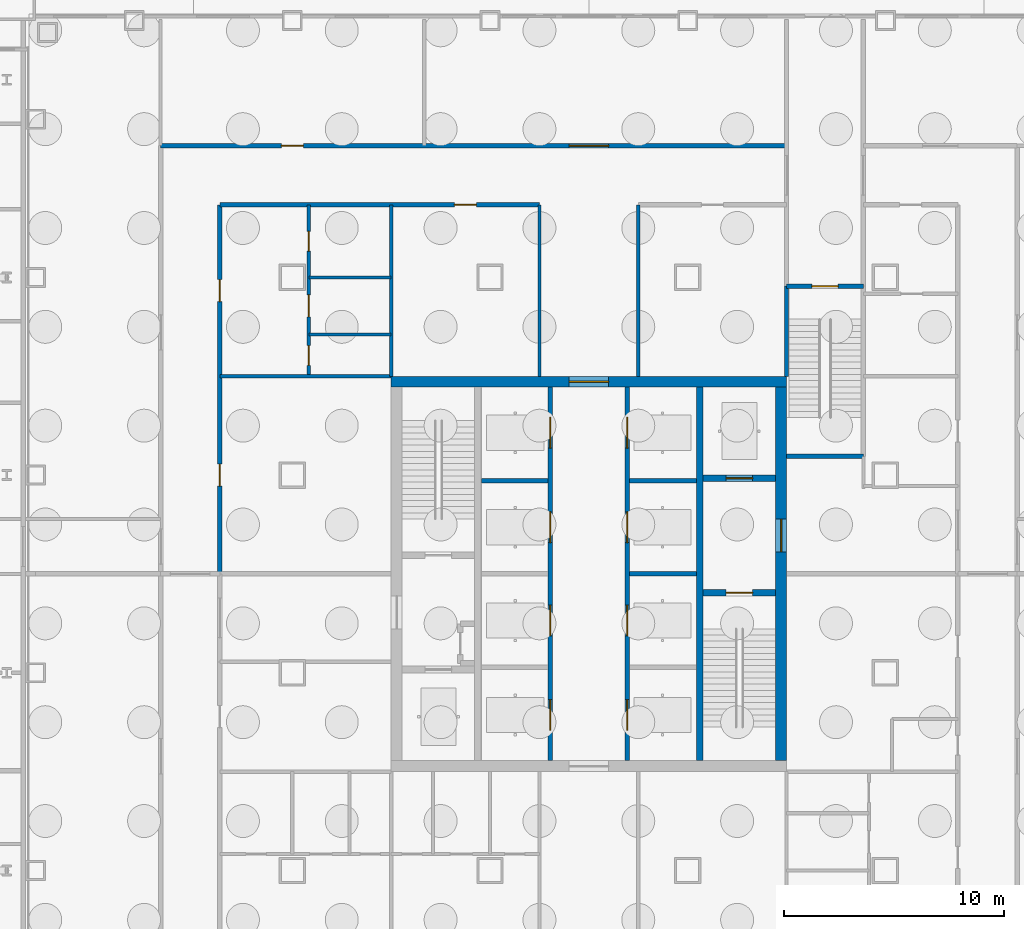
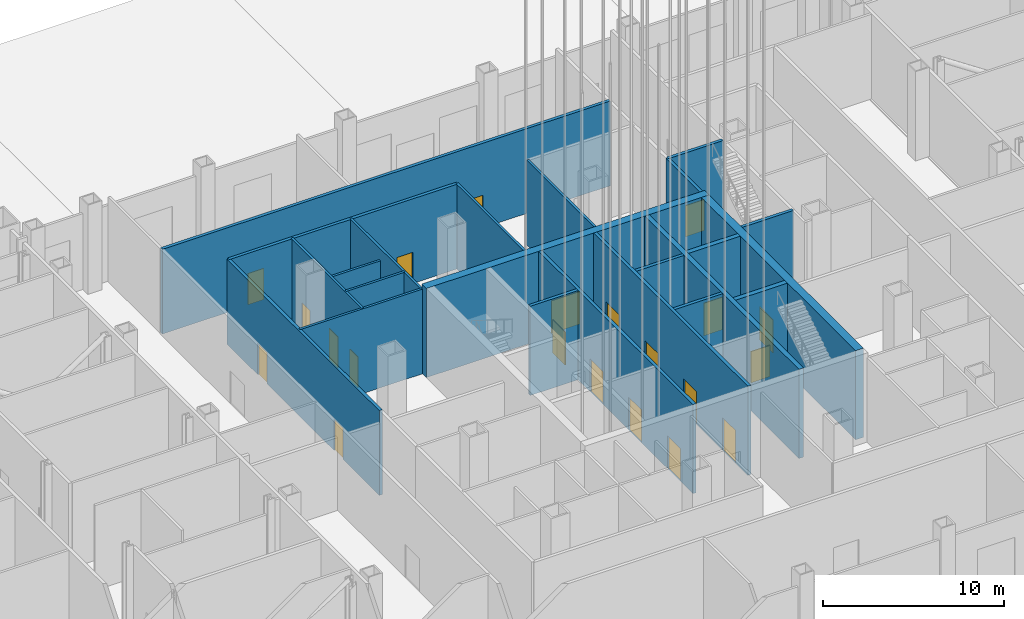
# One storey, part 8 of 36: 23 walls, 21 doors, 21 openings.
"""IFC4 building model written with IfcOpenShell, lengths in metres."""

from ifc_helpers import new_model, si_unit, direction, frame, frame_2d, origin, place, context, subcontext, project, spatial, rectangle, extrude, material, layer, layer_set, type_object, element, fill, save


model = new_model("IFC4")

# Units and contexts
model_context = context("Model", 3, precision=1e-05, world=origin(), true_north=direction((0.0, 1.0)))
body_context = subcontext(model_context, "Body", "Model", "MODEL_VIEW")
ifc_project = project(units=[si_unit("LENGTHUNIT", "METRE"), si_unit("AREAUNIT", "SQUARE_METRE"), si_unit("VOLUMEUNIT", "CUBIC_METRE"), si_unit("PLANEANGLEUNIT", "RADIAN"), si_unit("MASSUNIT", "GRAM", prefix="KILO")], contexts=[model_context])

# Site, building, storey
site_placement = place(None, origin())
site = spatial("IfcSite", under=ifc_project, at=site_placement, CompositionType="ELEMENT")
building_placement = place(site_placement, origin())
building = spatial("IfcBuilding", under=site, at=building_placement, Name="Malebo Sky Hospital", CompositionType="ELEMENT")
storey_placement = place(building_placement, origin())
storey = spatial("IfcBuildingStorey", under=building, at=storey_placement, Name="L00", CompositionType="ELEMENT", Elevation=0.0)

# Wall, openings, doors
ifc_material_1 = material(Name="Concrete C80/95", Category="concrete")
ifc_layer_1 = layer(ifc_material_1, 0.199951171875)
ifc_layer_set_1 = layer_set([ifc_layer_1], Name="CORE INNER WALL 200")
wall_type_1 = type_object("IfcWallType", Name="CORE INNER WALL 200", PredefinedType="SHEAR", material=ifc_layer_set_1)
wall_1_placement = place(storey_placement, frame((58.25, 53.5, 0.0), z_axis=(0.0, 0.0, 1.0), x_axis=(0.0, 1.0, 0.0)))
wall_1 = element("IfcWall", 1, at=wall_1_placement, inside=storey, type_object=wall_type_1, Name="Core wall LW L00", PredefinedType="SHEAR", context=body_context, shape_type="SweptSolid", body=[
    extrude(rectangle(XDim=17.0, YDim=0.199951171875, at=frame_2d((8.5, 0.0))), origin(), (0.0, 0.0, 1.0), 6.0),
])
opening_1_placement = place(wall_1_placement, frame((1.375, 0.0, 0.0)))
opening_1 = element("IfcOpeningElement", 2, at=opening_1_placement, cuts=wall_1, Name="Opening LD1", PredefinedType="OPENING", context=body_context, shape_type="SweptSolid", body=[
    extrude(rectangle(XDim=1.39990234375, YDim=2.199951171875, at=frame_2d((0.699951171875, 1.10009765625))), frame((0.0, 0.10986328125, 0.0), z_axis=(0.0, -1.0, 0.0), x_axis=(1.0, 0.0, 0.0)), (0.0, 0.0, 1.0), 0.219970703125),
])
opening_2_placement = place(wall_1_placement, frame((5.675048828125, 0.0, 0.0)))
opening_2 = element("IfcOpeningElement", 3, at=opening_2_placement, cuts=wall_1, Name="Opening LD1", PredefinedType="OPENING", context=body_context, shape_type="SweptSolid", body=[
    extrude(rectangle(XDim=1.39990234375, YDim=2.199951171875, at=frame_2d((0.699951171875, 1.10009765625))), frame((0.0, 0.10986328125, 0.0), z_axis=(0.0, -1.0, 0.0), x_axis=(1.0, 0.0, 0.0)), (0.0, 0.0, 1.0), 0.219970703125),
])
opening_3_placement = place(wall_1_placement, frame((9.925048828125, 0.0, 0.0)))
opening_3 = element("IfcOpeningElement", 4, at=opening_3_placement, cuts=wall_1, Name="Opening LD1", PredefinedType="OPENING", context=body_context, shape_type="SweptSolid", body=[
    extrude(rectangle(XDim=1.39990234375, YDim=2.199951171875, at=frame_2d((0.699951171875, 1.10009765625))), frame((0.0, 0.10986328125, 0.0), z_axis=(0.0, -1.0, 0.0), x_axis=(1.0, 0.0, 0.0)), (0.0, 0.0, 1.0), 0.219970703125),
])
opening_4_placement = place(wall_1_placement, frame((14.22509765625, 0.0, 0.0)))
opening_4 = element("IfcOpeningElement", 5, at=opening_4_placement, cuts=wall_1, Name="Opening LD1", PredefinedType="OPENING", context=body_context, shape_type="SweptSolid", body=[
    extrude(rectangle(XDim=1.39990234375, YDim=2.199951171875, at=frame_2d((0.699951171875, 1.10009765625))), frame((0.0, 0.10986328125, 0.0), z_axis=(0.0, -1.0, 0.0), x_axis=(1.0, 0.0, 0.0)), (0.0, 0.0, 1.0), 0.219970703125),
])
ifc_material_2 = material(Name="Stainless steel sliding landing door", Category="steel")
door_type_1 = type_object("IfcDoorType", Name="LIFT LANDING DOOR 1400", OperationType="SLIDING_TO_LEFT", PredefinedType="DOOR", material=ifc_material_2)
door_1_placement = place(opening_1_placement, origin())
door_1 = element("IfcDoor", 6, at=door_1_placement, inside=storey, type_object=door_type_1, Name="Lift W1 landing door", OperationType="SLIDING_TO_LEFT", OverallHeight=2.199951171875, OverallWidth=1.39990234375, PredefinedType="DOOR", context=body_context, shape_type="SweptSolid", body=[
    extrude(rectangle(XDim=1.39990234375, YDim=2.199951171875, at=frame_2d((0.699951171875, 1.10009765625))), frame((0.0, 0.02490234375, 0.0), z_axis=(0.0, -1.0, 0.0), x_axis=(1.0, 0.0, 0.0)), (0.0, 0.0, 1.0), 0.050048828125),
])
fill(opening_1, door_1)
door_2_placement = place(opening_2_placement, origin())
door_2 = element("IfcDoor", 7, at=door_2_placement, inside=storey, type_object=door_type_1, Name="Lift W2 landing door", OperationType="SLIDING_TO_LEFT", OverallHeight=2.199951171875, OverallWidth=1.39990234375, PredefinedType="DOOR", context=body_context, shape_type="SweptSolid", body=[
    extrude(rectangle(XDim=1.39990234375, YDim=2.199951171875, at=frame_2d((0.699951171875, 1.10009765625))), frame((0.0, 0.02490234375, 0.0), z_axis=(0.0, -1.0, 0.0), x_axis=(1.0, 0.0, 0.0)), (0.0, 0.0, 1.0), 0.050048828125),
])
fill(opening_2, door_2)
door_3_placement = place(opening_3_placement, origin())
door_3 = element("IfcDoor", 8, at=door_3_placement, inside=storey, type_object=door_type_1, Name="Lift W3 landing door", OperationType="SLIDING_TO_LEFT", OverallHeight=2.199951171875, OverallWidth=1.39990234375, PredefinedType="DOOR", context=body_context, shape_type="SweptSolid", body=[
    extrude(rectangle(XDim=1.39990234375, YDim=2.199951171875, at=frame_2d((0.699951171875, 1.10009765625))), frame((0.0, 0.02490234375, 0.0), z_axis=(0.0, -1.0, 0.0), x_axis=(1.0, 0.0, 0.0)), (0.0, 0.0, 1.0), 0.050048828125),
])
fill(opening_3, door_3)
door_4_placement = place(opening_4_placement, origin())
door_4 = element("IfcDoor", 9, at=door_4_placement, inside=storey, type_object=door_type_1, Name="Lift W4 landing door", OperationType="SLIDING_TO_LEFT", OverallHeight=2.199951171875, OverallWidth=1.39990234375, PredefinedType="DOOR", context=body_context, shape_type="SweptSolid", body=[
    extrude(rectangle(XDim=1.39990234375, YDim=2.199951171875, at=frame_2d((0.699951171875, 1.10009765625))), frame((0.0, 0.02490234375, 0.0), z_axis=(0.0, -1.0, 0.0), x_axis=(1.0, 0.0, 0.0)), (0.0, 0.0, 1.0), 0.050048828125),
])
fill(opening_4, door_4)

wall_2_placement = place(storey_placement, frame((61.75, 53.5, 0.0), z_axis=(0.0, 0.0, 1.0), x_axis=(0.0, 1.0, 0.0)))
wall_2 = element("IfcWall", 10, at=wall_2_placement, inside=storey, type_object=wall_type_1, Name="Core wall LE L00", PredefinedType="SHEAR", context=body_context, shape_type="SweptSolid", body=[
    extrude(rectangle(XDim=17.0, YDim=0.199951171875, at=frame_2d((8.5, 0.0))), origin(), (0.0, 0.0, 1.0), 6.0),
])
opening_5_placement = place(wall_2_placement, frame((1.375, 0.0, 0.0)))
opening_5 = element("IfcOpeningElement", 11, at=opening_5_placement, cuts=wall_2, Name="Opening LD1", PredefinedType="OPENING", context=body_context, shape_type="SweptSolid", body=[
    extrude(rectangle(XDim=1.39990234375, YDim=2.199951171875, at=frame_2d((0.699951171875, 1.10009765625))), frame((0.0, 0.10986328125, 0.0), z_axis=(0.0, -1.0, 0.0), x_axis=(1.0, 0.0, 0.0)), (0.0, 0.0, 1.0), 0.219970703125),
])
opening_6_placement = place(wall_2_placement, frame((5.675048828125, 0.0, 0.0)))
opening_6 = element("IfcOpeningElement", 12, at=opening_6_placement, cuts=wall_2, Name="Opening LD1", PredefinedType="OPENING", context=body_context, shape_type="SweptSolid", body=[
    extrude(rectangle(XDim=1.39990234375, YDim=2.199951171875, at=frame_2d((0.699951171875, 1.10009765625))), frame((0.0, 0.10986328125, 0.0), z_axis=(0.0, -1.0, 0.0), x_axis=(1.0, 0.0, 0.0)), (0.0, 0.0, 1.0), 0.219970703125),
])
opening_7_placement = place(wall_2_placement, frame((9.925048828125, 0.0, 0.0)))
opening_7 = element("IfcOpeningElement", 13, at=opening_7_placement, cuts=wall_2, Name="Opening LD1", PredefinedType="OPENING", context=body_context, shape_type="SweptSolid", body=[
    extrude(rectangle(XDim=1.39990234375, YDim=2.199951171875, at=frame_2d((0.699951171875, 1.10009765625))), frame((0.0, 0.10986328125, 0.0), z_axis=(0.0, -1.0, 0.0), x_axis=(1.0, 0.0, 0.0)), (0.0, 0.0, 1.0), 0.219970703125),
])
opening_8_placement = place(wall_2_placement, frame((14.22509765625, 0.0, 0.0)))
opening_8 = element("IfcOpeningElement", 14, at=opening_8_placement, cuts=wall_2, Name="Opening LD1", PredefinedType="OPENING", context=body_context, shape_type="SweptSolid", body=[
    extrude(rectangle(XDim=1.39990234375, YDim=2.199951171875, at=frame_2d((0.699951171875, 1.10009765625))), frame((0.0, 0.10986328125, 0.0), z_axis=(0.0, -1.0, 0.0), x_axis=(1.0, 0.0, 0.0)), (0.0, 0.0, 1.0), 0.219970703125),
])
door_5_placement = place(opening_5_placement, origin())
door_5 = element("IfcDoor", 15, at=door_5_placement, inside=storey, type_object=door_type_1, Name="Lift E1 landing door", OperationType="SLIDING_TO_LEFT", OverallHeight=2.199951171875, OverallWidth=1.39990234375, PredefinedType="DOOR", context=body_context, shape_type="SweptSolid", body=[
    extrude(rectangle(XDim=1.39990234375, YDim=2.199951171875, at=frame_2d((0.699951171875, 1.10009765625))), frame((0.0, 0.02490234375, 0.0), z_axis=(0.0, -1.0, 0.0), x_axis=(1.0, 0.0, 0.0)), (0.0, 0.0, 1.0), 0.050048828125),
])
fill(opening_5, door_5)
door_6_placement = place(opening_6_placement, origin())
door_6 = element("IfcDoor", 16, at=door_6_placement, inside=storey, type_object=door_type_1, Name="Lift E2 landing door", OperationType="SLIDING_TO_LEFT", OverallHeight=2.199951171875, OverallWidth=1.39990234375, PredefinedType="DOOR", context=body_context, shape_type="SweptSolid", body=[
    extrude(rectangle(XDim=1.39990234375, YDim=2.199951171875, at=frame_2d((0.699951171875, 1.10009765625))), frame((0.0, 0.02490234375, 0.0), z_axis=(0.0, -1.0, 0.0), x_axis=(1.0, 0.0, 0.0)), (0.0, 0.0, 1.0), 0.050048828125),
])
fill(opening_6, door_6)
door_7_placement = place(opening_7_placement, origin())
door_7 = element("IfcDoor", 17, at=door_7_placement, inside=storey, type_object=door_type_1, Name="Lift E3 landing door", OperationType="SLIDING_TO_LEFT", OverallHeight=2.199951171875, OverallWidth=1.39990234375, PredefinedType="DOOR", context=body_context, shape_type="SweptSolid", body=[
    extrude(rectangle(XDim=1.39990234375, YDim=2.199951171875, at=frame_2d((0.699951171875, 1.10009765625))), frame((0.0, 0.02490234375, 0.0), z_axis=(0.0, -1.0, 0.0), x_axis=(1.0, 0.0, 0.0)), (0.0, 0.0, 1.0), 0.050048828125),
])
fill(opening_7, door_7)
door_8_placement = place(opening_8_placement, origin())
door_8 = element("IfcDoor", 18, at=door_8_placement, inside=storey, type_object=door_type_1, Name="Lift E4 landing door", OperationType="SLIDING_TO_LEFT", OverallHeight=2.199951171875, OverallWidth=1.39990234375, PredefinedType="DOOR", context=body_context, shape_type="SweptSolid", body=[
    extrude(rectangle(XDim=1.39990234375, YDim=2.199951171875, at=frame_2d((0.699951171875, 1.10009765625))), frame((0.0, 0.02490234375, 0.0), z_axis=(0.0, -1.0, 0.0), x_axis=(1.0, 0.0, 0.0)), (0.0, 0.0, 1.0), 0.050048828125),
])
fill(opening_8, door_8)

# Walls
for number, where, z_axis, x_axis, name in (
    (19, (61.85009765625, 62.0, 0.0), (0.0, 0.0, 1.0), (1.0, 0.0, 0.0), "Core wall SE1 L00"),
    (20, (55.10009765625, 66.25, 0.0), (0.0, 0.0, 1.0), (1.0, 0.0, 0.0), "Core wall SW2 L00"),
    (21, (61.85009765625, 66.25, 0.0), (0.0, 0.0, 1.0), (1.0, 0.0, 0.0), "Core wall SE2 L00"),
):
    element("IfcWall", number, at=place(storey_placement, frame(where, z_axis=z_axis, x_axis=x_axis)), inside=storey, type_object=wall_type_1, Name=name, PredefinedType="SHEAR", context=body_context, shape_type="SweptSolid", body=[
        extrude(rectangle(XDim=3.0498046875, YDim=0.199951171875, at=frame_2d((1.52490234375, 0.0))), origin(), (0.0, 0.0, 1.0), 6.0),
    ])
ifc_layer_2 = layer(ifc_material_1, 0.300048828125)
ifc_layer_set_2 = layer_set([ifc_layer_2], Name="CORE INNER WALL 300")
wall_type_2 = type_object("IfcWallType", Name="CORE INNER WALL 300", PredefinedType="SHEAR", material=ifc_layer_set_2)
wall_3_placement = place(storey_placement, frame((65.050048828125, 53.5, 0.0), z_axis=(0.0, 0.0, 1.0), x_axis=(0.0, 1.0, 0.0)))
element("IfcWall", 22, at=wall_3_placement, inside=storey, type_object=wall_type_2, Name="Core wall XE L00", PredefinedType="SHEAR", context=body_context, shape_type="SweptSolid", body=[
    extrude(rectangle(XDim=17.0, YDim=0.300048828125, at=frame_2d((8.5, 0.0))), origin(), (0.0, 0.0, 1.0), 6.0),
])

# Wall, opening, door
wall_4_placement = place(storey_placement, frame((65.199951171875, 61.14990234375, 0.0), z_axis=(0.0, 0.0, 1.0), x_axis=(1.0, 0.0, 0.0)))
wall_4 = element("IfcWall", 23, at=wall_4_placement, inside=storey, type_object=wall_type_2, Name="Core wall E1 L00", PredefinedType="SHEAR", context=body_context, shape_type="SweptSolid", body=[
    extrude(rectangle(XDim=3.300048828125, YDim=0.300048828125, at=frame_2d((1.64990234375, 0.0))), origin(), (0.0, 0.0, 1.0), 6.0),
])
opening_9_placement = place(wall_4_placement, frame((1.050048828125, 0.0, 0.0)))
opening_9 = element("IfcOpeningElement", 24, at=opening_9_placement, cuts=wall_4, Name="Opening D08", PredefinedType="OPENING", context=body_context, shape_type="SweptSolid", body=[
    extrude(rectangle(XDim=1.199951171875, YDim=2.10009765625, at=frame_2d((0.60009765625, 1.050048828125))), frame((0.0, 0.159912109375, 0.0), z_axis=(0.0, -1.0, 0.0), x_axis=(1.0, 0.0, 0.0)), (0.0, 0.0, 1.0), 0.320068359375),
])
ifc_material_3 = material(Name="Hardwood-faced door leaf in steel frame", Category="steel")
door_type_2 = type_object("IfcDoorType", Name="STAIR DOOR 1200", OperationType="SINGLE_SWING_LEFT", PredefinedType="DOOR", material=ifc_material_3)
door_9_placement = place(opening_9_placement, origin())
door_9 = element("IfcDoor", 25, at=door_9_placement, inside=storey, type_object=door_type_2, Name="Stair S2 door", OperationType="SINGLE_SWING_LEFT", OverallHeight=2.10009765625, OverallWidth=1.199951171875, PredefinedType="DOOR", context=body_context, shape_type="SweptSolid", body=[
    extrude(rectangle(XDim=1.199951171875, YDim=2.10009765625, at=frame_2d((0.60009765625, 1.050048828125))), frame((0.0, 0.02490234375, 0.0), z_axis=(0.0, -1.0, 0.0), x_axis=(1.0, 0.0, 0.0)), (0.0, 0.0, 1.0), 0.050048828125),
])
fill(opening_9, door_9)

wall_5_placement = place(storey_placement, frame((65.199951171875, 66.35009765625, 0.0), z_axis=(0.0, 0.0, 1.0), x_axis=(1.0, 0.0, 0.0)))
wall_5 = element("IfcWall", 26, at=wall_5_placement, inside=storey, type_object=wall_type_2, Name="Core wall E2 L00", PredefinedType="SHEAR", context=body_context, shape_type="SweptSolid", body=[
    extrude(rectangle(XDim=3.300048828125, YDim=0.300048828125, at=frame_2d((1.64990234375, 0.0))), origin(), (0.0, 0.0, 1.0), 6.0),
])
opening_10_placement = place(wall_5_placement, frame((1.050048828125, 0.0, 0.0)))
opening_10 = element("IfcOpeningElement", 27, at=opening_10_placement, cuts=wall_5, Name="Opening LD2", PredefinedType="OPENING", context=body_context, shape_type="SweptSolid", body=[
    extrude(rectangle(XDim=1.199951171875, YDim=2.199951171875, at=frame_2d((0.60009765625, 1.10009765625))), frame((0.0, 0.159912109375, 0.0), z_axis=(0.0, -1.0, 0.0), x_axis=(1.0, 0.0, 0.0)), (0.0, 0.0, 1.0), 0.320068359375),
])
door_type_3 = type_object("IfcDoorType", Name="FIRE-FIGHTING LIFT LANDING DOOR 1200", OperationType="SLIDING_TO_LEFT", PredefinedType="DOOR", material=ifc_material_2)
door_10_placement = place(opening_10_placement, origin())
door_10 = element("IfcDoor", 28, at=door_10_placement, inside=storey, type_object=door_type_3, Name="Lift FL2 landing door", OperationType="SLIDING_TO_LEFT", OverallHeight=2.199951171875, OverallWidth=1.199951171875, PredefinedType="DOOR", context=body_context, shape_type="SweptSolid", body=[
    extrude(rectangle(XDim=1.199951171875, YDim=2.199951171875, at=frame_2d((0.60009765625, 1.10009765625))), frame((0.0, 0.02490234375, 0.0), z_axis=(0.0, -1.0, 0.0), x_axis=(1.0, 0.0, 0.0)), (0.0, 0.0, 1.0), 0.050048828125),
])
fill(opening_10, door_10)

ifc_layer_3 = layer(ifc_material_1, 0.5)
ifc_layer_set_3 = layer_set([ifc_layer_3], Name="CORE WALL 500")
wall_type_3 = type_object("IfcWallType", Name="CORE WALL 500", PredefinedType="SHEAR", material=ifc_layer_set_3)
wall_6_placement = place(storey_placement, frame((51.0, 70.75, 0.0), z_axis=(0.0, 0.0, 1.0), x_axis=(1.0, 0.0, 0.0)))
wall_6 = element("IfcWall", 29, at=wall_6_placement, inside=storey, type_object=wall_type_3, Name="Core wall N L00", PredefinedType="SHEAR", context=body_context, shape_type="SweptSolid", body=[
    extrude(rectangle(XDim=18.0, YDim=0.5, at=frame_2d((9.0, 0.0))), origin(), (0.0, 0.0, 1.0), 6.0),
])
opening_11_placement = place(wall_6_placement, frame((8.10009765625, 0.0, 0.0)))
opening_11 = element("IfcOpeningElement", 30, at=opening_11_placement, cuts=wall_6, Name="Opening D06", PredefinedType="OPENING", context=body_context, shape_type="SweptSolid", body=[
    extrude(rectangle(XDim=1.800048828125, YDim=2.199951171875, at=frame_2d((0.89990234375, 1.10009765625))), frame((0.0, 0.260009765625, 0.0), z_axis=(0.0, -1.0, 0.0), x_axis=(1.0, 0.0, 0.0)), (0.0, 0.0, 1.0), 0.52001953125),
])
door_type_4 = type_object("IfcDoorType", Name="LOBBY DOOR PAIR 1800", OperationType="DOUBLE_DOOR_SINGLE_SWING", PredefinedType="DOOR", material=ifc_material_3)
door_11_placement = place(opening_11_placement, origin())
door_11 = element("IfcDoor", 31, at=door_11_placement, inside=storey, type_object=door_type_4, Name="Lift lobby door north", OperationType="DOUBLE_DOOR_SINGLE_SWING", OverallHeight=2.199951171875, OverallWidth=1.800048828125, PredefinedType="DOOR", context=body_context, shape_type="SweptSolid", body=[
    extrude(rectangle(XDim=1.800048828125, YDim=2.199951171875, at=frame_2d((0.89990234375, 1.10009765625))), frame((0.0, 0.02490234375, 0.0), z_axis=(0.0, -1.0, 0.0), x_axis=(1.0, 0.0, 0.0)), (0.0, 0.0, 1.0), 0.050048828125),
])
fill(opening_11, door_11)

wall_7_placement = place(storey_placement, frame((68.75, 53.5, 0.0), z_axis=(0.0, 0.0, 1.0), x_axis=(0.0, 1.0, 0.0)))
wall_7 = element("IfcWall", 32, at=wall_7_placement, inside=storey, type_object=wall_type_3, Name="Core wall E L00", PredefinedType="SHEAR", context=body_context, shape_type="SweptSolid", body=[
    extrude(rectangle(XDim=17.0, YDim=0.5, at=frame_2d((8.5, 0.0))), origin(), (0.0, 0.0, 1.0), 6.0),
])
opening_12_placement = place(wall_7_placement, frame((9.5, 0.0, 0.0)))
opening_12 = element("IfcOpeningElement", 33, at=opening_12_placement, cuts=wall_7, Name="Opening D07", PredefinedType="OPENING", context=body_context, shape_type="SweptSolid", body=[
    extrude(rectangle(XDim=1.5, YDim=2.199951171875, at=frame_2d((0.75, 1.10009765625))), frame((0.0, 0.260009765625, 0.0), z_axis=(0.0, -1.0, 0.0), x_axis=(1.0, 0.0, 0.0)), (0.0, 0.0, 1.0), 0.52001953125),
])
door_type_5 = type_object("IfcDoorType", Name="FIRE-FIGHTING LOBBY DOOR PAIR 1500", OperationType="DOUBLE_DOOR_SINGLE_SWING", PredefinedType="DOOR", material=ifc_material_3)
door_12_placement = place(opening_12_placement, origin())
door_12 = element("IfcDoor", 34, at=door_12_placement, inside=storey, type_object=door_type_5, Name="Fire-fighting lobby door east", OperationType="DOUBLE_DOOR_SINGLE_SWING", OverallHeight=2.199951171875, OverallWidth=1.5, PredefinedType="DOOR", context=body_context, shape_type="SweptSolid", body=[
    extrude(rectangle(XDim=1.5, YDim=2.199951171875, at=frame_2d((0.75, 1.10009765625))), frame((0.0, 0.02490234375, 0.0), z_axis=(0.0, -1.0, 0.0), x_axis=(1.0, 0.0, 0.0)), (0.0, 0.0, 1.0), 0.050048828125),
])
fill(opening_12, door_12)

# Wall, openings, doors
ifc_material_4 = material(Name="Gypsum board on steel studs", Category="steel")
ifc_layer_4 = layer(ifc_material_4, 0.199951171875)
ifc_layer_set_4 = layer_set([ifc_layer_4], Name="CORRIDOR WALL 200")
wall_type_4 = type_object("IfcWallType", Name="CORRIDOR WALL 200", PredefinedType="PARTITIONING", material=ifc_layer_set_4)
wall_8_placement = place(storey_placement, frame((40.5, 81.5, 0.0), z_axis=(0.0, 0.0, 1.0), x_axis=(1.0, 0.0, 0.0)))
wall_8 = element("IfcWall", 35, at=wall_8_placement, inside=storey, type_object=wall_type_4, Name="Corridor Wall 200 NCO", PredefinedType="PARTITIONING", context=body_context, shape_type="SweptSolid", body=[
    extrude(rectangle(XDim=28.5, YDim=0.199951171875, at=frame_2d((14.25, 0.0))), origin(), (0.0, 0.0, 1.0), 5.699951171875),
])
opening_13_placement = place(wall_8_placement, frame((5.5, 0.0, 0.0)))
opening_13 = element("IfcOpeningElement", 36, at=opening_13_placement, cuts=wall_8, Name="Opening D03", PredefinedType="OPENING", context=body_context, shape_type="SweptSolid", body=[
    extrude(rectangle(XDim=1.0, YDim=2.10009765625, at=frame_2d((0.5, 1.050048828125))), frame((0.0, 0.10986328125, 0.0), z_axis=(0.0, -1.0, 0.0), x_axis=(1.0, 0.0, 0.0)), (0.0, 0.0, 1.0), 0.219970703125),
])
opening_14_placement = place(wall_8_placement, frame((18.60009765625, 0.0, 0.0)))
opening_14 = element("IfcOpeningElement", 37, at=opening_14_placement, cuts=wall_8, Name="Opening D06", PredefinedType="OPENING", context=body_context, shape_type="SweptSolid", body=[
    extrude(rectangle(XDim=1.800048828125, YDim=2.199951171875, at=frame_2d((0.89990234375, 1.10009765625))), frame((0.0, 0.10986328125, 0.0), z_axis=(0.0, -1.0, 0.0), x_axis=(1.0, 0.0, 0.0)), (0.0, 0.0, 1.0), 0.219970703125),
])
door_13_placement = place(opening_14_placement, origin())
door_13 = element("IfcDoor", 38, at=door_13_placement, inside=storey, type_object=door_type_4, Name="Goods and service lobby door", OperationType="DOUBLE_DOOR_SINGLE_SWING", OverallHeight=2.199951171875, OverallWidth=1.800048828125, PredefinedType="DOOR", context=body_context, shape_type="SweptSolid", body=[
    extrude(rectangle(XDim=1.800048828125, YDim=2.199951171875, at=frame_2d((0.89990234375, 1.10009765625))), frame((0.0, 0.02490234375, 0.0), z_axis=(0.0, -1.0, 0.0), x_axis=(1.0, 0.0, 0.0)), (0.0, 0.0, 1.0), 0.050048828125),
])
fill(opening_14, door_13)
door_type_6 = type_object("IfcDoorType", Name="ROOM DOOR 1000", OperationType="SINGLE_SWING_LEFT", PredefinedType="DOOR", material=ifc_material_3)
door_14_placement = place(opening_13_placement, origin())
door_14 = element("IfcDoor", 39, at=door_14_placement, inside=storey, type_object=door_type_6, Name="Admissions office door", OperationType="SINGLE_SWING_LEFT", OverallHeight=2.10009765625, OverallWidth=1.0, PredefinedType="DOOR", context=body_context, shape_type="SweptSolid", body=[
    extrude(rectangle(XDim=1.0, YDim=2.10009765625, at=frame_2d((0.5, 1.050048828125))), frame((0.0, 0.02490234375, 0.0), z_axis=(0.0, -1.0, 0.0), x_axis=(1.0, 0.0, 0.0)), (0.0, 0.0, 1.0), 0.050048828125),
])
fill(opening_13, door_14)

# Wall, opening, door
wall_9_placement = place(storey_placement, frame((43.199951171875, 78.800048828125, 0.0), z_axis=(0.0, 0.0, 1.0), x_axis=(1.0, 0.0, 0.0)))
wall_9 = element("IfcWall", 40, at=wall_9_placement, inside=storey, type_object=wall_type_4, Name="Corridor Wall 200 NCI1", PredefinedType="PARTITIONING", context=body_context, shape_type="SweptSolid", body=[
    extrude(rectangle(XDim=14.550048828125, YDim=0.199951171875, at=frame_2d((7.27490234375, 0.0))), origin(), (0.0, 0.0, 1.0), 5.699951171875),
])
opening_15_placement = place(wall_9_placement, frame((10.675048828125, 0.0, 0.0)))
opening_15 = element("IfcOpeningElement", 41, at=opening_15_placement, cuts=wall_9, Name="Opening D03", PredefinedType="OPENING", context=body_context, shape_type="SweptSolid", body=[
    extrude(rectangle(XDim=1.0, YDim=2.10009765625, at=frame_2d((0.5, 1.050048828125))), frame((0.0, 0.10986328125, 0.0), z_axis=(0.0, -1.0, 0.0), x_axis=(1.0, 0.0, 0.0)), (0.0, 0.0, 1.0), 0.219970703125),
])
door_15_placement = place(opening_15_placement, origin())
door_15 = element("IfcDoor", 42, at=door_15_placement, inside=storey, type_object=door_type_6, Name="Porters' staff base door", OperationType="SINGLE_SWING_LEFT", OverallHeight=2.10009765625, OverallWidth=1.0, PredefinedType="DOOR", context=body_context, shape_type="SweptSolid", body=[
    extrude(rectangle(XDim=1.0, YDim=2.10009765625, at=frame_2d((0.5, 1.050048828125))), frame((0.0, 0.02490234375, 0.0), z_axis=(0.0, -1.0, 0.0), x_axis=(1.0, 0.0, 0.0)), (0.0, 0.0, 1.0), 0.050048828125),
])
fill(opening_15, door_15)

# Wall, openings, doors
wall_10_placement = place(storey_placement, frame((43.199951171875, 62.0, 0.0), z_axis=(0.0, 0.0, 1.0), x_axis=(0.0, 1.0, 0.0)))
wall_10 = element("IfcWall", 43, at=wall_10_placement, inside=storey, type_object=wall_type_4, Name="Corridor Wall 200 WCI2", PredefinedType="PARTITIONING", context=body_context, shape_type="SweptSolid", body=[
    extrude(rectangle(XDim=16.800048828125, YDim=0.199951171875, at=frame_2d((8.39990234375, 0.0))), origin(), (0.0, 0.0, 1.0), 5.699951171875),
])
opening_16_placement = place(wall_10_placement, frame((4.0, 0.0, 0.0)))
opening_16 = element("IfcOpeningElement", 44, at=opening_16_placement, cuts=wall_10, Name="Opening D03", PredefinedType="OPENING", context=body_context, shape_type="SweptSolid", body=[
    extrude(rectangle(XDim=1.0, YDim=2.10009765625, at=frame_2d((0.5, 1.050048828125))), frame((0.0, 0.10986328125, 0.0), z_axis=(0.0, -1.0, 0.0), x_axis=(1.0, 0.0, 0.0)), (0.0, 0.0, 1.0), 0.219970703125),
])
opening_17_placement = place(wall_10_placement, frame((12.39990234375, 0.0, 0.0)))
opening_17 = element("IfcOpeningElement", 45, at=opening_17_placement, cuts=wall_10, Name="Opening D03", PredefinedType="OPENING", context=body_context, shape_type="SweptSolid", body=[
    extrude(rectangle(XDim=1.0, YDim=2.10009765625, at=frame_2d((0.5, 1.050048828125))), frame((0.0, 0.10986328125, 0.0), z_axis=(0.0, -1.0, 0.0), x_axis=(1.0, 0.0, 0.0)), (0.0, 0.0, 1.0), 0.219970703125),
])
door_16_placement = place(opening_16_placement, origin())
door_16 = element("IfcDoor", 46, at=door_16_placement, inside=storey, type_object=door_type_6, Name="Store door", OperationType="SINGLE_SWING_LEFT", OverallHeight=2.10009765625, OverallWidth=1.0, PredefinedType="DOOR", context=body_context, shape_type="SweptSolid", body=[
    extrude(rectangle(XDim=1.0, YDim=2.10009765625, at=frame_2d((0.5, 1.050048828125))), frame((0.0, 0.02490234375, 0.0), z_axis=(0.0, -1.0, 0.0), x_axis=(1.0, 0.0, 0.0)), (0.0, 0.0, 1.0), 0.050048828125),
])
fill(opening_16, door_16)
door_17_placement = place(opening_17_placement, origin())
door_17 = element("IfcDoor", 47, at=door_17_placement, inside=storey, type_object=door_type_6, Name="Public WC vestibule door", OperationType="SINGLE_SWING_RIGHT", OverallHeight=2.10009765625, OverallWidth=1.0, PredefinedType="DOOR", context=body_context, shape_type="SweptSolid", body=[
    extrude(rectangle(XDim=1.0, YDim=2.10009765625, at=frame_2d((0.5, 1.050048828125))), frame((0.0, 0.02490234375, 0.0), z_axis=(0.0, -1.0, 0.0), x_axis=(1.0, 0.0, 0.0)), (0.0, 0.0, 1.0), 0.050048828125),
])
fill(opening_17, door_17)

# Walls
ifc_layer_5 = layer(ifc_material_4, 0.14990234375)
ifc_layer_set_5 = layer_set([ifc_layer_5], Name="PARTITION 150")
wall_type_5 = type_object("IfcWallType", Name="PARTITION 150", PredefinedType="PARTITIONING", material=ifc_layer_set_5)
for number, where, z_axis, x_axis, name in (
    (48, (51.0, 71.0, 0.0), (0.0, 0.0, 1.0), (0.0, 1.0, 0.0), "Partition 150 NSPM"),
    (49, (57.75, 71.0, 0.0), (0.0, 0.0, 1.0), (0.0, 1.0, 0.0), "Partition 150 NSPA"),
    (50, (62.25, 71.0, 0.0), (0.0, 0.0, 1.0), (0.0, 1.0, 0.0), "Partition 150 NSPB"),
    (51, (51.0, 71.0, 0.0), (0.0, 0.0, 1.0), (-1.0, 0.0, 0.0), "Partition 150 WSP9"),
):
    element("IfcWall", number, at=place(storey_placement, frame(where, z_axis=z_axis, x_axis=x_axis)), inside=storey, type_object=wall_type_5, Name=name, PredefinedType="PARTITIONING", context=body_context, shape_type="SweptSolid", body=[
        extrude(rectangle(XDim=7.800048828125, YDim=0.14990234375, at=frame_2d((3.89990234375, 0.0))), origin(), (0.0, 0.0, 1.0), 5.699951171875),
    ])

# Wall, openings, doors
wall_11_placement = place(storey_placement, frame((47.25, 71.0, 0.0), z_axis=(0.0, 0.0, 1.0), x_axis=(0.0, 1.0, 0.0)))
wall_11 = element("IfcWall", 52, at=wall_11_placement, inside=storey, type_object=wall_type_5, Name="Partition 150 WS2F", PredefinedType="PARTITIONING", context=body_context, shape_type="SweptSolid", body=[
    extrude(rectangle(XDim=7.800048828125, YDim=0.14990234375, at=frame_2d((3.89990234375, 0.0))), origin(), (0.0, 0.0, 1.0), 5.699951171875),
])
opening_18_placement = place(wall_11_placement, frame((0.5, 0.0, 0.0)))
opening_18 = element("IfcOpeningElement", 53, at=opening_18_placement, cuts=wall_11, Name="Opening D04", PredefinedType="OPENING", context=body_context, shape_type="SweptSolid", body=[
    extrude(rectangle(XDim=0.89990234375, YDim=2.10009765625, at=frame_2d((0.449951171875, 1.050048828125))), frame((0.0, 0.0849609375, 0.0), z_axis=(0.0, -1.0, 0.0), x_axis=(1.0, 0.0, 0.0)), (0.0, 0.0, 1.0), 0.169921875),
])
opening_19_placement = place(wall_11_placement, frame((2.699951171875, 0.0, 0.0)))
opening_19 = element("IfcOpeningElement", 54, at=opening_19_placement, cuts=wall_11, Name="Opening D03", PredefinedType="OPENING", context=body_context, shape_type="SweptSolid", body=[
    extrude(rectangle(XDim=1.0, YDim=2.10009765625, at=frame_2d((0.5, 1.050048828125))), frame((0.0, 0.0849609375, 0.0), z_axis=(0.0, -1.0, 0.0), x_axis=(1.0, 0.0, 0.0)), (0.0, 0.0, 1.0), 0.169921875),
])
opening_20_placement = place(wall_11_placement, frame((5.699951171875, 0.0, 0.0)))
opening_20 = element("IfcOpeningElement", 55, at=opening_20_placement, cuts=wall_11, Name="Opening D04", PredefinedType="OPENING", context=body_context, shape_type="SweptSolid", body=[
    extrude(rectangle(XDim=0.89990234375, YDim=2.10009765625, at=frame_2d((0.449951171875, 1.050048828125))), frame((0.0, 0.0849609375, 0.0), z_axis=(0.0, -1.0, 0.0), x_axis=(1.0, 0.0, 0.0)), (0.0, 0.0, 1.0), 0.169921875),
])
door_18_placement = place(opening_19_placement, origin())
door_18 = element("IfcDoor", 56, at=door_18_placement, inside=storey, type_object=door_type_6, Name="Accessible WC door", OperationType="SINGLE_SWING_LEFT", OverallHeight=2.10009765625, OverallWidth=1.0, PredefinedType="DOOR", context=body_context, shape_type="SweptSolid", body=[
    extrude(rectangle(XDim=1.0, YDim=2.10009765625, at=frame_2d((0.5, 1.050048828125))), frame((0.0, 0.02490234375, 0.0), z_axis=(0.0, -1.0, 0.0), x_axis=(1.0, 0.0, 0.0)), (0.0, 0.0, 1.0), 0.050048828125),
])
fill(opening_19, door_18)
door_type_7 = type_object("IfcDoorType", Name="ROOM DOOR 900", OperationType="SINGLE_SWING_LEFT", PredefinedType="DOOR", material=ifc_material_3)
door_19_placement = place(opening_18_placement, origin())
door_19 = element("IfcDoor", 57, at=door_19_placement, inside=storey, type_object=door_type_7, Name="Public WC door", OperationType="SINGLE_SWING_LEFT", OverallHeight=2.10009765625, OverallWidth=0.89990234375, PredefinedType="DOOR", context=body_context, shape_type="SweptSolid", body=[
    extrude(rectangle(XDim=0.89990234375, YDim=2.10009765625, at=frame_2d((0.449951171875, 1.050048828125))), frame((0.0, 0.02490234375, 0.0), z_axis=(0.0, -1.0, 0.0), x_axis=(1.0, 0.0, 0.0)), (0.0, 0.0, 1.0), 0.050048828125),
])
fill(opening_18, door_19)
door_20_placement = place(opening_20_placement, origin())
door_20 = element("IfcDoor", 58, at=door_20_placement, inside=storey, type_object=door_type_7, Name="Public WC door", OperationType="SINGLE_SWING_RIGHT", OverallHeight=2.10009765625, OverallWidth=0.89990234375, PredefinedType="DOOR", context=body_context, shape_type="SweptSolid", body=[
    extrude(rectangle(XDim=0.89990234375, YDim=2.10009765625, at=frame_2d((0.449951171875, 1.050048828125))), frame((0.0, 0.02490234375, 0.0), z_axis=(0.0, -1.0, 0.0), x_axis=(1.0, 0.0, 0.0)), (0.0, 0.0, 1.0), 0.050048828125),
])
fill(opening_20, door_20)

# Walls
wall_12_placement = place(storey_placement, frame((51.0, 72.89990234375, 0.0), z_axis=(0.0, 0.0, 1.0), x_axis=(-1.0, 0.0, 0.0)))
element("IfcWall", 59, at=wall_12_placement, inside=storey, type_object=wall_type_5, Name="Partition 150 WS2W1", PredefinedType="PARTITIONING", context=body_context, shape_type="SweptSolid", body=[
    extrude(rectangle(XDim=3.75, YDim=0.14990234375, at=frame_2d((1.875, 0.0))), origin(), (0.0, 0.0, 1.0), 5.699951171875),
])
wall_13_placement = place(storey_placement, frame((51.0, 75.5, 0.0), z_axis=(0.0, 0.0, 1.0), x_axis=(-1.0, 0.0, 0.0)))
element("IfcWall", 60, at=wall_13_placement, inside=storey, type_object=wall_type_5, Name="Partition 150 WS2W2", PredefinedType="PARTITIONING", context=body_context, shape_type="SweptSolid", body=[
    extrude(rectangle(XDim=3.75, YDim=0.14990234375, at=frame_2d((1.875, 0.0))), origin(), (0.0, 0.0, 1.0), 4.89990234375),
])
ifc_material_5 = material(Name="Concrete C40/50", Category="concrete")
ifc_layer_6 = layer(ifc_material_5, 0.199951171875)
ifc_layer_set_6 = layer_set([ifc_layer_6], Name="STAIR ENCLOSURE WALL 200")
wall_type_6 = type_object("IfcWallType", Name="STAIR ENCLOSURE WALL 200", PredefinedType="SOLIDWALL", material=ifc_layer_set_6)
wall_14_placement = place(storey_placement, frame((69.0, 71.0, 0.0), z_axis=(0.0, 0.0, 1.0), x_axis=(0.0, 1.0, 0.0)))
element("IfcWall", 61, at=wall_14_placement, inside=storey, type_object=wall_type_6, Name="Stair Enclosure Wall 200 ST3W", PredefinedType="SOLIDWALL", context=body_context, shape_type="SweptSolid", body=[
    extrude(rectangle(XDim=4.10009765625, YDim=0.199951171875, at=frame_2d((2.050048828125, 0.0))), origin(), (0.0, 0.0, 1.0), 5.699951171875),
])
wall_15_placement = place(storey_placement, frame((69.0, 67.35009765625, 0.0), z_axis=(0.0, 0.0, 1.0), x_axis=(1.0, 0.0, 0.0)))
element("IfcWall", 62, at=wall_15_placement, inside=storey, type_object=wall_type_6, Name="Stair Enclosure Wall 200 ST3S", PredefinedType="SOLIDWALL", context=body_context, shape_type="SweptSolid", body=[
    extrude(rectangle(XDim=3.5, YDim=0.199951171875, at=frame_2d((1.75, 0.0))), origin(), (0.0, 0.0, 1.0), 5.699951171875),
])

# Wall, opening, door
wall_16_placement = place(storey_placement, frame((69.0, 75.10009765625, 0.0), z_axis=(0.0, 0.0, 1.0), x_axis=(1.0, 0.0, 0.0)))
wall_16 = element("IfcWall", 63, at=wall_16_placement, inside=storey, type_object=wall_type_6, Name="Stair Enclosure Wall 200 ST3N", PredefinedType="SOLIDWALL", context=body_context, shape_type="SweptSolid", body=[
    extrude(rectangle(XDim=3.5, YDim=0.199951171875, at=frame_2d((1.75, 0.0))), origin(), (0.0, 0.0, 1.0), 5.699951171875),
])
opening_21_placement = place(wall_16_placement, frame((1.14990234375, 0.0, 0.0)))
opening_21 = element("IfcOpeningElement", 64, at=opening_21_placement, cuts=wall_16, Name="Opening D08", PredefinedType="OPENING", context=body_context, shape_type="SweptSolid", body=[
    extrude(rectangle(XDim=1.199951171875, YDim=2.10009765625, at=frame_2d((0.60009765625, 1.050048828125))), frame((0.0, 0.10986328125, 0.0), z_axis=(0.0, -1.0, 0.0), x_axis=(1.0, 0.0, 0.0)), (0.0, 0.0, 1.0), 0.219970703125),
])
door_21_placement = place(opening_21_placement, origin())
door_21 = element("IfcDoor", 65, at=door_21_placement, inside=storey, type_object=door_type_2, Name="Stair S3 door", OperationType="SINGLE_SWING_LEFT", OverallHeight=2.10009765625, OverallWidth=1.199951171875, PredefinedType="DOOR", context=body_context, shape_type="SweptSolid", body=[
    extrude(rectangle(XDim=1.199951171875, YDim=2.10009765625, at=frame_2d((0.60009765625, 1.050048828125))), frame((0.0, 0.02490234375, 0.0), z_axis=(0.0, -1.0, 0.0), x_axis=(1.0, 0.0, 0.0)), (0.0, 0.0, 1.0), 0.050048828125),
])
fill(opening_21, door_21)

save(model, "model.ifc")
